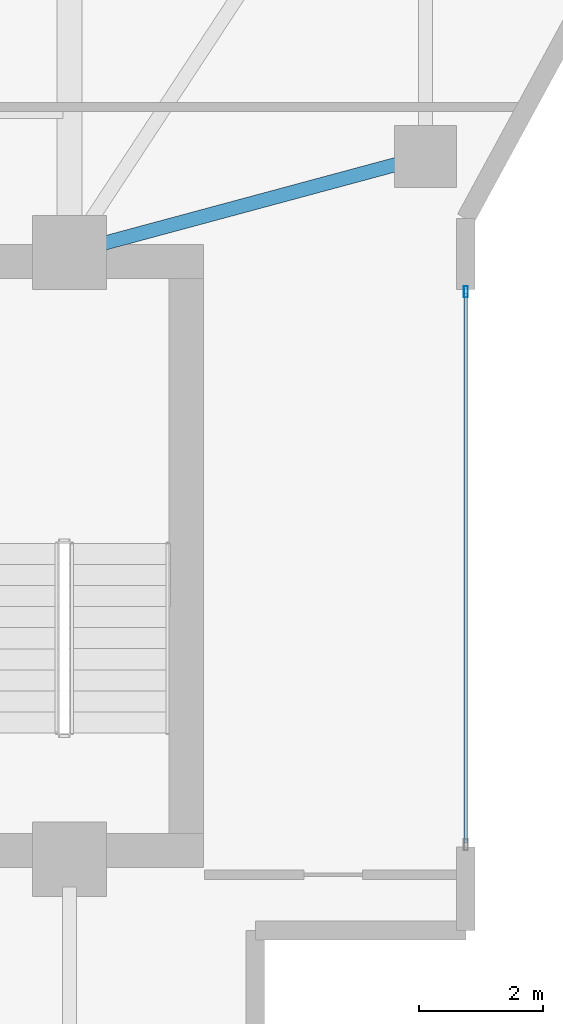
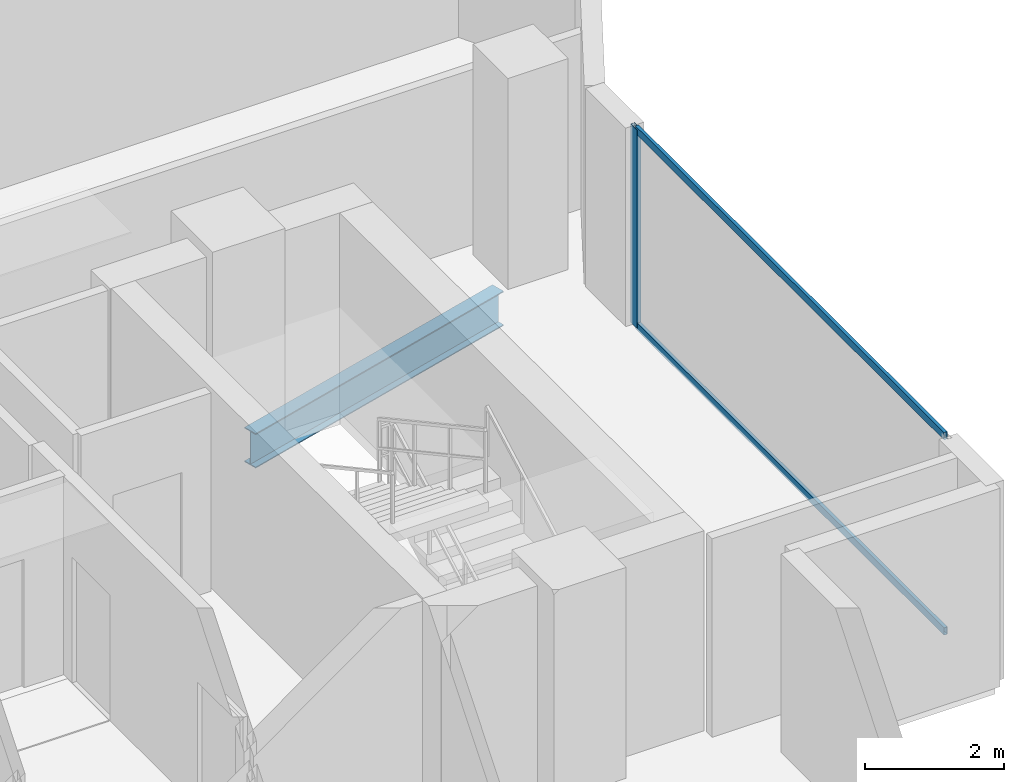
# One storey, part 9 of 24: 3 members, 1 beam, 1 element without a shape of its own.
"""IFC4 building model written with IfcOpenShell, lengths in metres."""

from ifc_helpers import new_model, si_unit, direction, frame, origin, origin_2d, place, context, subcontext, project, spatial, hollow_rectangle, i_section, extrude, material, layer, layer_set, material_profile, profile_set, type_object, element, aggregate, save


model = new_model("IFC4")

# Units and contexts
model_context = context("Model", 3, precision=1e-05, world=origin(), true_north=direction((0.0, 1.0)))
body_context = subcontext(model_context, "Body", "Model", "MODEL_VIEW")
ifc_project = project(units=[si_unit("LENGTHUNIT", "METRE"), si_unit("AREAUNIT", "SQUARE_METRE"), si_unit("VOLUMEUNIT", "CUBIC_METRE"), si_unit("PLANEANGLEUNIT", "RADIAN"), si_unit("MASSUNIT", "GRAM", prefix="KILO")], contexts=[model_context])

# Site, building, storey
site_placement = place(None, origin())
site = spatial("IfcSite", under=ifc_project, at=site_placement, CompositionType="ELEMENT")
building_placement = place(site_placement, origin())
building = spatial("IfcBuilding", under=site, at=building_placement, Name="Zuhayl Quay Hotel", CompositionType="ELEMENT")
storey_placement = place(building_placement, frame((0.0, 0.0, 280.35009765625)))
storey = spatial("IfcBuildingStorey", under=building, at=storey_placement, Name="L71", CompositionType="ELEMENT", Elevation=280.35009765625)

# Beam
ifc_material_1 = material(Name="Steel ASTM A992 Grade 50", Category="steel")
ifc_material_profile_1 = material_profile(ifc_material_1, i_section(OverallWidth=0.22802734375, OverallDepth=0.60693359375, WebThickness=0.01123046875, FlangeThickness=0.017333984375, at=origin_2d()), Name="W24X76")
ifc_profile_set_1 = profile_set([ifc_material_profile_1], Name="Steel ASTM A992 Grade 50")
beam_type = type_object("IfcBeamType", Name="BM_B3_W24X76", PredefinedType="BEAM", material=ifc_profile_set_1)
beam_placement = place(storey_placement, frame((14.234619140625, 14.467041015625, -0.523681640625), z_axis=(0.965530205773, 0.26029103277, 0.0), x_axis=(-0.26029103277, 0.965530205773, 0.0)))
element("IfcBeam", 1, at=beam_placement, inside=storey, type_object=beam_type, Name="L71 Floor Beam FG_E_L71_1", PredefinedType="BEAM", context=body_context, shape_type="SweptSolid", body=[
    extrude(i_section(OverallWidth=0.22802734375, OverallDepth=0.60693359375, WebThickness=0.01123046875, FlangeThickness=0.017333984375, at=origin_2d()), origin(), (0.0, 0.0, 1.0), 5.045166015625),
])

# Curtain wall, members
ifc_material_2 = material(Name="Anodised Aluminium 6063-T6", Category="aluminium")
ifc_layer = layer(ifc_material_2, 0.169921875, Name="Anodised Aluminium 6063-T6", Category="aluminium")
ifc_layer_set = layer_set([ifc_layer], Name="Anodised Aluminium 6063-T6")
curtain_wall_type = type_object("IfcCurtainWallType", Name="CW_SYS_Z4", PredefinedType="USERDEFINED", material=ifc_layer_set)
curtain_wall_placement = place(storey_placement, origin())
curtain_wall = element("IfcCurtainWall", 2, at=curtain_wall_placement, inside=storey, type_object=curtain_wall_type, Name="L71 Curtain Wall ENV_L71_E14_CW1", ObjectType="UNITISED CURTAIN WALL", PredefinedType="USERDEFINED")
ifc_material_3 = material(Name="Black-anodised aluminium 6063-T6", Category="aluminium")
ifc_material_profile_2 = material_profile(ifc_material_3, hollow_rectangle(XDim=0.06494140625, YDim=0.179931640625, WallThickness=0.00341796875, at=origin_2d()), Name="ALU180X65")
ifc_profile_set_2 = profile_set([ifc_material_profile_2], Name="Black-anodised aluminium 6063-T6")
member_type_1 = type_object("IfcMemberType", Name="MB_CW_MUL_180", PredefinedType="MULLION", material=ifc_profile_set_2)
member_1_placement = place(storey_placement, frame((20.199951171875, 13.717529296875, 0.0), z_axis=(0.0, 0.0, 1.0), x_axis=(1.0, 0.0, 0.0)))
member_1 = element("IfcMember", 3, at=member_1_placement, type_object=member_type_1, Name="CW-Z4 mullion 1", PredefinedType="MULLION", context=body_context, shape_type="SweptSolid", body=[
    extrude(hollow_rectangle(XDim=0.06494140625, YDim=0.179931640625, WallThickness=0.00341796875, at=origin_2d()), origin(), (0.0, 0.0, 1.0), 3.47998046875),
])
ifc_material_profile_3 = material_profile(ifc_material_3, hollow_rectangle(XDim=0.054931640625, YDim=0.1298828125, WallThickness=0.0029296875, at=origin_2d()), Name="ALU130X55")
ifc_profile_set_3 = profile_set([ifc_material_profile_3], Name="Black-anodised aluminium 6063-T6")
member_type_2 = type_object("IfcMemberType", Name="MB_CW_TRN_130", PredefinedType="USERDEFINED", material=ifc_profile_set_3)
member_2_placement = place(storey_placement, frame((20.199951171875, 13.68505859375, 0.02734375), z_axis=(0.0, -1.0, 0.0), x_axis=(1.0, 0.0, 0.0)))
member_2 = element("IfcMember", 4, at=member_2_placement, type_object=member_type_2, Name="CW-Z4 transom 1.1", ObjectType="TRANSOM", PredefinedType="USERDEFINED", context=body_context, shape_type="SweptSolid", body=[
    extrude(hollow_rectangle(XDim=0.054931640625, YDim=0.1298828125, WallThickness=0.0029296875, at=origin_2d()), origin(), (0.0, 0.0, 1.0), 8.8701171875),
])
member_3_placement = place(storey_placement, frame((20.199951171875, 13.68505859375, 3.452392578125), z_axis=(0.0, -1.0, 0.0), x_axis=(1.0, 0.0, 0.0)))
member_3 = element("IfcMember", 5, at=member_3_placement, type_object=member_type_2, Name="CW-Z4 transom 1.2", ObjectType="TRANSOM", PredefinedType="USERDEFINED", context=body_context, shape_type="SweptSolid", body=[
    extrude(hollow_rectangle(XDim=0.054931640625, YDim=0.1298828125, WallThickness=0.0029296875, at=origin_2d()), origin(), (0.0, 0.0, 1.0), 8.8701171875),
])
aggregate(curtain_wall, [member_1, member_2, member_3])

save(model, "model.ifc")
